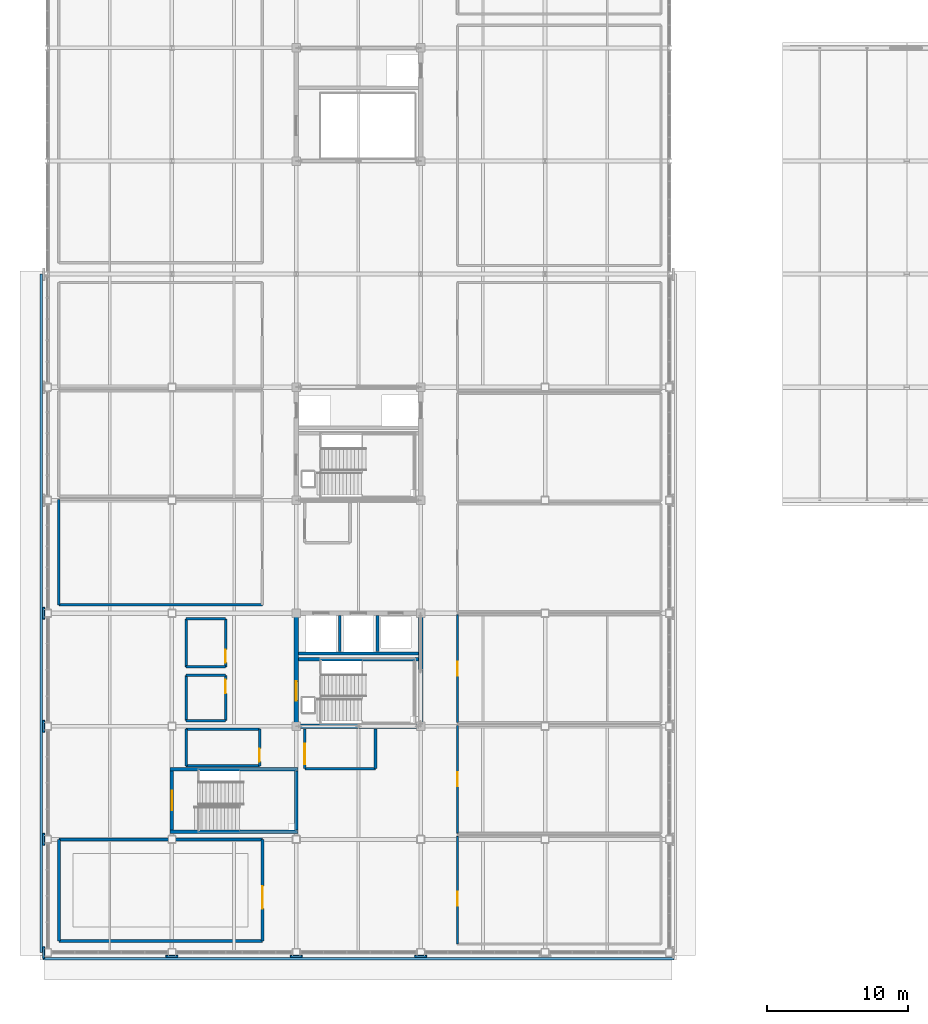
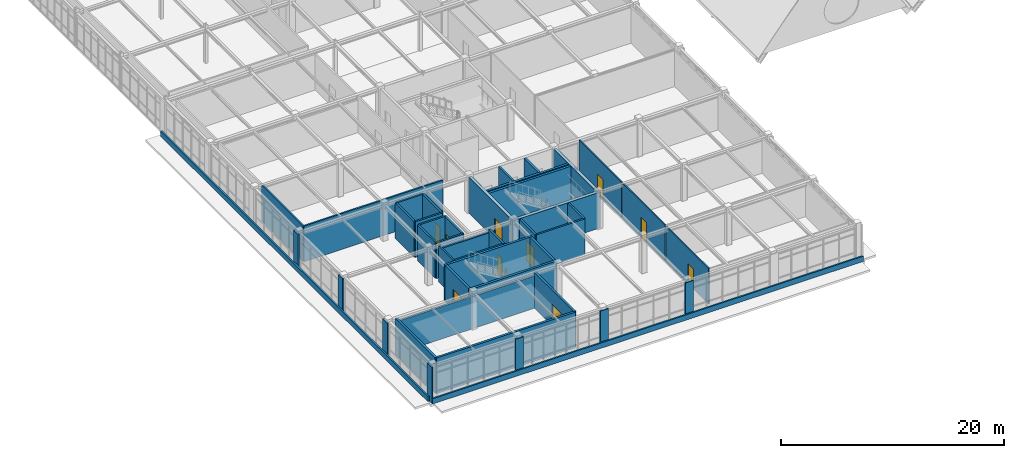
# One storey, part 53 of 64: 44 walls, 10 doors, 10 openings.
"""IFC4 building model written with IfcOpenShell, lengths in metres."""

from ifc_helpers import new_model, si_unit, direction, frame, frame_2d, origin, place, context, subcontext, project, spatial, rectangle, extrude, material, layer, layer_set, type_object, element, fill, save


model = new_model("IFC4")

# Units and contexts
model_context = context("Model", 3, precision=1e-05, world=origin(), true_north=direction((0.0, 1.0)))
body_context = subcontext(model_context, "Body", "Model", "MODEL_VIEW")
ifc_project = project(units=[si_unit("LENGTHUNIT", "METRE"), si_unit("AREAUNIT", "SQUARE_METRE"), si_unit("VOLUMEUNIT", "CUBIC_METRE"), si_unit("PLANEANGLEUNIT", "RADIAN"), si_unit("MASSUNIT", "GRAM", prefix="KILO")], contexts=[model_context])

# Site, building, storey
site_placement = place(None, origin())
site = spatial("IfcSite", under=ifc_project, at=site_placement, CompositionType="ELEMENT")
building_placement = place(site_placement, origin())
building = spatial("IfcBuilding", under=site, at=building_placement, Name="Zhaolan Boulevard Law Courts", CompositionType="ELEMENT")
storey_placement = place(building_placement, frame((0.0, 0.0, 20.39990234375)))
storey = spatial("IfcBuildingStorey", under=building, at=storey_placement, Name="L04", CompositionType="ELEMENT", Elevation=20.39990234375)

# Wall
ifc_material_1 = material(Name="Concrete C50", Category="concrete")
ifc_layer_1 = layer(ifc_material_1, 0.300048828125)
ifc_layer_set_1 = layer_set([ifc_layer_1])
wall_type_1 = type_object("IfcWallType", Name="CORE SHEAR WALL 300", PredefinedType="SHEAR", material=ifc_layer_set_1)
wall_1_placement = place(storey_placement, frame((17.449951171875, 46.0, 0.0), z_axis=(0.0, 0.0, 1.0), x_axis=(1.0, 0.0, 0.0)))
element("IfcWall", 1, at=wall_1_placement, inside=storey, type_object=wall_type_1, Name="Core Shear Wall CW-W1-L04S", PredefinedType="SHEAR", context=body_context, shape_type="SweptSolid", body=[
    extrude(rectangle(XDim=9.10009765625, YDim=0.300048828125, at=frame_2d((4.550048828125, 0.0))), origin(), (0.0, 0.0, 1.0), 3.920166015625),
])

# Wall, opening, door
wall_2_placement = place(storey_placement, frame((17.60009765625, 46.14990234375, 0.0), z_axis=(0.0, 0.0, 1.0), x_axis=(0.0, 1.0, 0.0)))
wall_2 = element("IfcWall", 2, at=wall_2_placement, inside=storey, type_object=wall_type_1, Name="Core Shear Wall CW-W1-L04W", PredefinedType="SHEAR", context=body_context, shape_type="SweptSolid", body=[
    extrude(rectangle(XDim=7.7001953125, YDim=0.300048828125, at=frame_2d((3.85009765625, 0.0))), origin(), (0.0, 0.0, 1.0), 3.920166015625),
])
opening_1_placement = place(wall_2_placement, frame((1.675048828125, 0.0, 0.0)))
opening_1 = element("IfcOpeningElement", 3, at=opening_1_placement, cuts=wall_2, Name="Opening SD-L04-06", PredefinedType="OPENING", context=body_context, shape_type="SweptSolid", body=[
    extrude(rectangle(XDim=1.35009765625, YDim=2.199951171875, at=frame_2d((0.675048828125, 1.10009765625))), frame((0.0, 0.159912109375, 0.0), z_axis=(0.0, -1.0, 0.0), x_axis=(1.0, 0.0, 0.0)), (0.0, 0.0, 1.0), 0.320068359375),
])
ifc_material_2 = material(Name="Fire-rated steel acoustic door", Category="steel")
door_type_1 = type_object("IfcDoorType", Name="STAIR FIRE 1350X2200 R", OperationType="SINGLE_SWING_RIGHT", PredefinedType="DOOR", material=ifc_material_2)
door_1_placement = place(opening_1_placement, origin())
door_1 = element("IfcDoor", 4, at=door_1_placement, inside=storey, type_object=door_type_1, Name="Smoke-Proof Stairwell Fire Door SD-L04-06", OperationType="SINGLE_SWING_RIGHT", OverallHeight=2.199951171875, OverallWidth=1.35009765625, PredefinedType="DOOR", context=body_context, shape_type="SweptSolid", body=[
    extrude(rectangle(XDim=1.35009765625, YDim=2.199951171875, at=frame_2d((0.675048828125, 1.10009765625))), frame((0.0, 0.02490234375, 0.0), z_axis=(0.0, -1.0, 0.0), x_axis=(1.0, 0.0, 0.0)), (0.0, 0.0, 1.0), 0.050048828125),
])
fill(opening_1, door_1)

# Walls
wall_3_placement = place(storey_placement, frame((26.39990234375, 46.14990234375, 0.0), z_axis=(0.0, 0.0, 1.0), x_axis=(0.0, 1.0, 0.0)))
element("IfcWall", 5, at=wall_3_placement, inside=storey, type_object=wall_type_1, Name="Core Shear Wall CW-W1-L04E", PredefinedType="SHEAR", context=body_context, shape_type="SweptSolid", body=[
    extrude(rectangle(XDim=7.7001953125, YDim=0.300048828125, at=frame_2d((3.85009765625, 0.0))), origin(), (0.0, 0.0, 1.0), 3.920166015625),
])
ifc_material_3 = material(Name="Concrete C40", Category="concrete")
ifc_layer_2 = layer(ifc_material_3, 0.139892578125)
ifc_layer_set_2 = layer_set([ifc_layer_2])
wall_type_2 = type_object("IfcWallType", Name="EXT WALL ARCH CLAD140", PredefinedType="SOLIDWALL", material=ifc_layer_set_2)
for number, where, z_axis, x_axis, name in (
    (6, (-0.280029296875, 29.580078125, 0.0), (0.0, 0.0, 1.0), (0.0, 1.0, 0.0), "Concrete Column Cloak Pier CPR-099"),
    (7, (-0.280029296875, 37.580078125, 0.0), (0.0, 0.0, 1.0), (0.0, 1.0, 0.0), "Concrete Column Cloak Pier CPR-101"),
    (8, (-0.280029296875, 45.580078125, 0.0), (0.0, 0.0, 1.0), (0.0, 1.0, 0.0), "Concrete Column Cloak Pier CPR-103"),
    (9, (-0.280029296875, 53.580078125, 0.0), (0.0, 0.0, 1.0), (0.0, 1.0, 0.0), "Concrete Column Cloak Pier CPR-105"),
):
    element("IfcWall", number, at=place(storey_placement, frame(where, z_axis=z_axis, x_axis=x_axis)), inside=storey, type_object=wall_type_2, Name=name, PredefinedType="SOLIDWALL", context=body_context, shape_type="SweptSolid", body=[
        extrude(rectangle(XDim=0.83984375, YDim=0.139892578125, at=frame_2d((0.419921875, 0.0))), origin(), (0.0, 0.0, 1.0), 3.940185546875),
    ])
for number, where, z_axis, x_axis, name in (
    (10, (8.3798828125, 29.719970703125, 0.0), (0.0, 0.0, 1.0), (1.0, 0.0, 0.0), "Concrete Column Cloak Pier CPR-113"),
    (11, (17.179931640625, 29.719970703125, 0.0), (0.0, 0.0, 1.0), (1.0, 0.0, 0.0), "Concrete Column Cloak Pier CPR-114"),
    (12, (25.97998046875, 29.719970703125, 0.0), (0.0, 0.0, 1.0), (1.0, 0.0, 0.0), "Concrete Column Cloak Pier CPR-115"),
):
    element("IfcWall", number, at=place(storey_placement, frame(where, z_axis=z_axis, x_axis=x_axis)), inside=storey, type_object=wall_type_2, Name=name, PredefinedType="SOLIDWALL", context=body_context, shape_type="SweptSolid", body=[
        extrude(rectangle(XDim=0.840087890625, YDim=0.139892578125, at=frame_2d((0.419921875, 0.0))), origin(), (0.0, 0.0, 1.0), 3.940185546875),
    ])
ifc_material_4 = material(Name="Concrete C40", Category="concrete")
ifc_layer_3 = layer(ifc_material_4, 0.159912109375)
ifc_layer_set_3 = layer_set([ifc_layer_3])
wall_type_3 = type_object("IfcWallType", Name="EXT WALL ARCH CLAD160", PredefinedType="SOLIDWALL", material=ifc_layer_set_3)
wall_4_placement = place(storey_placement, frame((-0.43994140625, 78.0, 0.0), z_axis=(0.0, 0.0, 1.0), x_axis=(0.0, -1.0, 0.0)))
element("IfcWall", 13, at=wall_4_placement, inside=storey, type_object=wall_type_3, Name="Sculpted Concrete Spandrel Band CBW-096", PredefinedType="SOLIDWALL", context=body_context, shape_type="SweptSolid", body=[
    extrude(rectangle(XDim=48.0, YDim=0.159912109375, at=frame_2d((24.0, 0.0))), origin(), (0.0, 0.0, 1.0), 0.580078125),
])
wall_5_placement = place(storey_placement, frame((-0.340087890625, 29.56005859375, 0.0), z_axis=(0.0, 0.0, 1.0), x_axis=(1.0, 0.0, 0.0)))
element("IfcWall", 14, at=wall_5_placement, inside=storey, type_object=wall_type_3, Name="Sculpted Concrete Spandrel Band CBW-098", PredefinedType="SOLIDWALL", context=body_context, shape_type="SweptSolid", body=[
    extrude(rectangle(XDim=44.68017578125, YDim=0.159912109375, at=frame_2d((22.340087890625, 0.0))), origin(), (0.0, 0.0, 1.0), 0.580078125),
])
ifc_material_5 = material(Name="Concrete C50", Category="concrete")
ifc_layer_4 = layer(ifc_material_5, 0.239990234375)
ifc_layer_set_4 = layer_set([ifc_layer_4])
wall_type_4 = type_object("IfcWallType", Name="LIFT SHAFT WALL 240", PredefinedType="SHEAR", material=ifc_layer_set_4)
wall_6_placement = place(storey_placement, frame((17.75, 51.155029296875, 0.0), z_axis=(0.0, 0.0, 1.0), x_axis=(1.0, 0.0, 0.0)))
element("IfcWall", 15, at=wall_6_placement, inside=storey, type_object=wall_type_4, Name="Lift Shaft Enclosure Wall W1 (L04)", PredefinedType="SHEAR", context=body_context, shape_type="SweptSolid", body=[
    extrude(rectangle(XDim=8.5, YDim=0.239990234375, at=frame_2d((4.25, 0.0))), origin(), (0.0, 0.0, 1.0), 3.920166015625),
])
ifc_material_6 = material(Name="Acoustic gypsum and mineral-wool stud")
ifc_layer_5 = layer(ifc_material_6, 0.18994140625)
ifc_layer_set_5 = layer_set([ifc_layer_5])
wall_type_5 = type_object("IfcWallType", Name="PART WALL ACOUST190", PredefinedType="PARTITIONING", material=ifc_layer_set_5)
wall_7_placement = place(storey_placement, frame((18.199951171875, 43.0, 0.0), z_axis=(0.0, 0.0, 1.0), x_axis=(1.0, 0.0, 0.0)))
element("IfcWall", 16, at=wall_7_placement, inside=storey, type_object=wall_type_5, Name="Interior Partition PW-L04-031", PredefinedType="PARTITIONING", context=body_context, shape_type="SweptSolid", body=[
    extrude(rectangle(XDim=5.0, YDim=0.18994140625, at=frame_2d((2.5, 0.0))), origin(), (0.0, 0.0, 1.0), 3.920166015625),
])

# Wall, opening, door
wall_8_placement = place(storey_placement, frame((18.199951171875, 45.800048828125, 0.0), z_axis=(0.0, 0.0, 1.0), x_axis=(0.0, -1.0, 0.0)))
wall_8 = element("IfcWall", 17, at=wall_8_placement, inside=storey, type_object=wall_type_5, Name="Interior Partition PW-L04-032", PredefinedType="PARTITIONING", context=body_context, shape_type="SweptSolid", body=[
    extrude(rectangle(XDim=2.800048828125, YDim=0.18994140625, at=frame_2d((1.39990234375, 0.0))), origin(), (0.0, 0.0, 1.0), 3.920166015625),
])
opening_2_placement = place(wall_8_placement, frame((1.050048828125, 0.0, 0.0)))
opening_2 = element("IfcOpeningElement", 18, at=opening_2_placement, cuts=wall_8, Name="Opening FD-L04-011", PredefinedType="OPENING", context=body_context, shape_type="SweptSolid", body=[
    extrude(rectangle(XDim=1.449951171875, YDim=2.199951171875, at=frame_2d((0.72509765625, 1.10009765625))), frame((0.0, 0.10498046875, 0.0), z_axis=(0.0, -1.0, 0.0), x_axis=(1.0, 0.0, 0.0)), (0.0, 0.0, 1.0), 0.2099609375),
])
ifc_material_7 = material(Name="Fire-rated steel acoustic door", Category="steel")
door_type_2 = type_object("IfcDoorType", Name="LOBBY FIRE 1450X2200 L", OperationType="SINGLE_SWING_LEFT", PredefinedType="DOOR", material=ifc_material_7)
door_2_placement = place(opening_2_placement, origin())
door_2 = element("IfcDoor", 19, at=door_2_placement, inside=storey, type_object=door_type_2, Name="Door FD-L04-011 (Lobby Firefighting Lift L04-W1)", OperationType="SINGLE_SWING_LEFT", OverallHeight=2.199951171875, OverallWidth=1.449951171875, PredefinedType="DOOR", context=body_context, shape_type="SweptSolid", body=[
    extrude(rectangle(XDim=1.449951171875, YDim=2.199951171875, at=frame_2d((0.72509765625, 1.10009765625))), frame((0.0, 0.02490234375, 0.0), z_axis=(0.0, -1.0, 0.0), x_axis=(1.0, 0.0, 0.0)), (0.0, 0.0, 1.0), 0.050048828125),
])
fill(opening_2, door_2)

# Walls
wall_9_placement = place(storey_placement, frame((23.199951171875, 43.0, 0.0), z_axis=(0.0, 0.0, 1.0), x_axis=(0.0, 1.0, 0.0)))
element("IfcWall", 20, at=wall_9_placement, inside=storey, type_object=wall_type_5, Name="Interior Partition PW-L04-033", PredefinedType="PARTITIONING", context=body_context, shape_type="SweptSolid", body=[
    extrude(rectangle(XDim=2.800048828125, YDim=0.18994140625, at=frame_2d((1.39990234375, 0.0))), origin(), (0.0, 0.0, 1.0), 3.920166015625),
])
ifc_material_8 = material(Name="Fire-rated gypsum stud partition")
ifc_layer_6 = layer(ifc_material_8, 0.159912109375)
ifc_layer_set_6 = layer_set([ifc_layer_6])
wall_type_6 = type_object("IfcWallType", Name="PART WALL CHAMB160", PredefinedType="PARTITIONING", material=ifc_layer_set_6)
wall_10_placement = place(storey_placement, frame((0.800048828125, 54.60009765625, 0.0), z_axis=(0.0, 0.0, 1.0), x_axis=(1.0, 0.0, 0.0)))
element("IfcWall", 21, at=wall_10_placement, inside=storey, type_object=wall_type_6, Name="Interior Partition PW-L04-594", PredefinedType="PARTITIONING", context=body_context, shape_type="SweptSolid", body=[
    extrude(rectangle(XDim=14.39990234375, YDim=0.159912109375, at=frame_2d((7.199951171875, 0.0))), origin(), (0.0, 0.0, 1.0), 3.920166015625),
])
wall_11_placement = place(storey_placement, frame((0.800048828125, 62.052978515625, 0.0), z_axis=(0.0, 0.0, 1.0), x_axis=(0.0, -1.0, 0.0)))
element("IfcWall", 22, at=wall_11_placement, inside=storey, type_object=wall_type_6, Name="Interior Partition PW-L04-596", PredefinedType="PARTITIONING", context=body_context, shape_type="SweptSolid", body=[
    extrude(rectangle(XDim=7.452880859375, YDim=0.159912109375, at=frame_2d((3.7265625, 0.0))), origin(), (0.0, 0.0, 1.0), 3.920166015625),
])
ifc_material_9 = material(Name="Concrete C40", Category="concrete")
ifc_layer_7 = layer(ifc_material_9, 0.219970703125)
ifc_layer_set_7 = layer_set([ifc_layer_7])
wall_type_7 = type_object("IfcWallType", Name="PART WALL COURT220", PredefinedType="PARTITIONING", material=ifc_layer_set_7)
wall_12_placement = place(storey_placement, frame((0.800048828125, 30.800048828125, 0.0), z_axis=(0.0, 0.0, 1.0), x_axis=(1.0, 0.0, 0.0)))
element("IfcWall", 23, at=wall_12_placement, inside=storey, type_object=wall_type_7, Name="Interior Partition PW-L04-590", PredefinedType="PARTITIONING", context=body_context, shape_type="SweptSolid", body=[
    extrude(rectangle(XDim=14.39990234375, YDim=0.219970703125, at=frame_2d((7.199951171875, 0.0))), origin(), (0.0, 0.0, 1.0), 3.920166015625),
])
wall_13_placement = place(storey_placement, frame((15.199951171875, 38.0, 0.0), z_axis=(0.0, 0.0, 1.0), x_axis=(-1.0, 0.0, 0.0)))
element("IfcWall", 24, at=wall_13_placement, inside=storey, type_object=wall_type_7, Name="Interior Partition PW-L04-591", PredefinedType="PARTITIONING", context=body_context, shape_type="SweptSolid", body=[
    extrude(rectangle(XDim=14.39990234375, YDim=0.219970703125, at=frame_2d((7.199951171875, 0.0))), origin(), (0.0, 0.0, 1.0), 3.546142578125),
])
wall_14_placement = place(storey_placement, frame((0.800048828125, 38.0, 0.0), z_axis=(0.0, 0.0, 1.0), x_axis=(0.0, -1.0, 0.0)))
element("IfcWall", 25, at=wall_14_placement, inside=storey, type_object=wall_type_7, Name="Interior Partition PW-L04-592", PredefinedType="PARTITIONING", context=body_context, shape_type="SweptSolid", body=[
    extrude(rectangle(XDim=7.199951171875, YDim=0.219970703125, at=frame_2d((3.60009765625, 0.0))), origin(), (0.0, 0.0, 1.0), 3.920166015625),
])

# Wall, opening, door
wall_15_placement = place(storey_placement, frame((15.199951171875, 30.800048828125, 0.0), z_axis=(0.0, 0.0, 1.0), x_axis=(0.0, 1.0, 0.0)))
wall_15 = element("IfcWall", 26, at=wall_15_placement, inside=storey, type_object=wall_type_7, Name="Interior Partition PW-L04-593", PredefinedType="PARTITIONING", context=body_context, shape_type="SweptSolid", body=[
    extrude(rectangle(XDim=7.199951171875, YDim=0.219970703125, at=frame_2d((3.60009765625, 0.0))), origin(), (0.0, 0.0, 1.0), 3.920166015625),
])
opening_3_placement = place(wall_15_placement, frame((2.300048828125, 0.0, 0.0)))
opening_3 = element("IfcOpeningElement", 27, at=opening_3_placement, cuts=wall_15, Name="Opening ID-L04-184", PredefinedType="OPENING", context=body_context, shape_type="SweptSolid", body=[
    extrude(rectangle(XDim=1.60009765625, YDim=2.35009765625, at=frame_2d((0.800048828125, 1.175048828125))), frame((0.0, 0.119873046875, 0.0), z_axis=(0.0, -1.0, 0.0), x_axis=(1.0, 0.0, 0.0)), (0.0, 0.0, 1.0), 0.239990234375),
])
ifc_material_10 = material(Name="Solid-core acoustic oak veneer door")
door_type_3 = type_object("IfcDoorType", Name="COURT DOUBLE 1600X2350", OperationType="DOUBLE_DOOR_SINGLE_SWING", PredefinedType="DOOR", material=ifc_material_10)
door_3_placement = place(opening_3_placement, origin())
door_3 = element("IfcDoor", 28, at=door_3_placement, inside=storey, type_object=door_type_3, Name="Door ID-L04-184 (Appellate Civil Courtroom 18)", OperationType="DOUBLE_DOOR_SINGLE_SWING", OverallHeight=2.35009765625, OverallWidth=1.60009765625, PredefinedType="DOOR", context=body_context, shape_type="SweptSolid", body=[
    extrude(rectangle(XDim=1.60009765625, YDim=2.35009765625, at=frame_2d((0.800048828125, 1.175048828125))), frame((0.0, 0.02490234375, 0.0), z_axis=(0.0, -1.0, 0.0), x_axis=(1.0, 0.0, 0.0)), (0.0, 0.0, 1.0), 0.050048828125),
])
fill(opening_3, door_3)

# Walls
ifc_material_11 = material(Name="Concrete C40", Category="concrete")
ifc_layer_8 = layer(ifc_material_11, 0.2099609375)
ifc_layer_set_8 = layer_set([ifc_layer_8])
wall_type_8 = type_object("IfcWallType", Name="PART WALL CUSTODY210", PredefinedType="PARTITIONING", material=ifc_layer_set_8)
for number, where, z_axis, x_axis, name in (
    (29, (20.675048828125, 51.277099609375, 0.0), (0.0, 0.0, 1.0), (0.0, 1.0, 0.0), "Lift Shaft Divider Wall W1-1 (L04)"),
    (30, (23.337890625, 51.277099609375, 0.0), (0.0, 0.0, 1.0), (0.0, 1.0, 0.0), "Lift Shaft Divider Wall W1-2 (L04)"),
):
    element("IfcWall", number, at=place(storey_placement, frame(where, z_axis=z_axis, x_axis=x_axis)), inside=storey, type_object=wall_type_8, Name=name, PredefinedType="PARTITIONING", context=body_context, shape_type="SweptSolid", body=[
        extrude(rectangle(XDim=2.57080078125, YDim=0.2099609375, at=frame_2d((1.285400390625, 0.0))), origin(), (0.0, 0.0, 1.0), 3.920166015625),
    ])

# Wall, opening, door
ifc_material_12 = material(Name="Gypsum board stud partition")
ifc_layer_9 = layer(ifc_material_12, 0.1201171875)
ifc_layer_set_9 = layer_set([ifc_layer_9])
wall_type_9 = type_object("IfcWallType", Name="PART WALL LIGHT120", PredefinedType="PARTITIONING", material=ifc_layer_set_9)
wall_16_placement = place(storey_placement, frame((29.0, 38.217041015625, 0.0), z_axis=(0.0, 0.0, 1.0), x_axis=(0.0, -1.0, 0.0)))
wall_16 = element("IfcWall", 31, at=wall_16_placement, inside=storey, type_object=wall_type_9, Name="Interior Partition PW-L04-608", PredefinedType="PARTITIONING", context=body_context, shape_type="SweptSolid", body=[
    extrude(rectangle(XDim=7.616943359375, YDim=0.1201171875, at=frame_2d((3.80859375, 0.0))), origin(), (0.0, 0.0, 1.0), 3.920166015625),
])
opening_4_placement = place(wall_16_placement, frame((3.909912109375, 0.0, 0.0)))
opening_4 = element("IfcOpeningElement", 32, at=opening_4_placement, cuts=wall_16, Name="Opening JD-L04-188", PredefinedType="OPENING", context=body_context, shape_type="SweptSolid", body=[
    extrude(rectangle(XDim=1.0, YDim=2.199951171875, at=frame_2d((0.5, 1.10009765625))), frame((0.0, 0.070068359375, 0.0), z_axis=(0.0, -1.0, 0.0), x_axis=(1.0, 0.0, 0.0)), (0.0, 0.0, 1.0), 0.14013671875),
])
ifc_material_13 = material(Name="Solid-core acoustic oak veneer door")
door_type_4 = type_object("IfcDoorType", Name="CHAMBER DOOR 1000X2200 L", OperationType="SINGLE_SWING_LEFT", PredefinedType="DOOR", material=ifc_material_13)
door_4_placement = place(opening_4_placement, origin())
door_4 = element("IfcDoor", 33, at=door_4_placement, inside=storey, type_object=door_type_4, Name="Door JD-L04-188 (Judges' Chambers L04-01)", OperationType="SINGLE_SWING_LEFT", OverallHeight=2.199951171875, OverallWidth=1.0, PredefinedType="DOOR", context=body_context, shape_type="SweptSolid", body=[
    extrude(rectangle(XDim=1.0, YDim=2.199951171875, at=frame_2d((0.5, 1.10009765625))), frame((0.0, 0.02490234375, 0.0), z_axis=(0.0, -1.0, 0.0), x_axis=(1.0, 0.0, 0.0)), (0.0, 0.0, 1.0), 0.050048828125),
])
fill(opening_4, door_4)

wall_17_placement = place(storey_placement, frame((29.0, 46.052978515625, 0.0), z_axis=(0.0, 0.0, 1.0), x_axis=(0.0, -1.0, 0.0)))
wall_17 = element("IfcWall", 34, at=wall_17_placement, inside=storey, type_object=wall_type_9, Name="Interior Partition PW-L04-612", PredefinedType="PARTITIONING", context=body_context, shape_type="SweptSolid", body=[
    extrude(rectangle(XDim=7.615966796875, YDim=0.1201171875, at=frame_2d((3.80810546875, 0.0))), origin(), (0.0, 0.0, 1.0), 3.920166015625),
])
opening_5_placement = place(wall_17_placement, frame((3.318115234375, 0.0, 0.0)))
opening_5 = element("IfcOpeningElement", 35, at=opening_5_placement, cuts=wall_17, Name="Opening JD-L04-189", PredefinedType="OPENING", context=body_context, shape_type="SweptSolid", body=[
    extrude(rectangle(XDim=0.97998046875, YDim=2.199951171875, at=frame_2d((0.489990234375, 1.10009765625))), frame((0.0, 0.070068359375, 0.0), z_axis=(0.0, -1.0, 0.0), x_axis=(1.0, 0.0, 0.0)), (0.0, 0.0, 1.0), 0.14013671875),
])
ifc_material_14 = material(Name="Solid-core acoustic oak veneer door")
door_type_5 = type_object("IfcDoorType", Name="CHAMBER DOOR 980X2200 R", OperationType="SINGLE_SWING_RIGHT", PredefinedType="DOOR", material=ifc_material_14)
door_5_placement = place(opening_5_placement, origin())
door_5 = element("IfcDoor", 36, at=door_5_placement, inside=storey, type_object=door_type_5, Name="Door JD-L04-189 (Judges' Chambers L04-02)", OperationType="SINGLE_SWING_RIGHT", OverallHeight=2.199951171875, OverallWidth=0.97998046875, PredefinedType="DOOR", context=body_context, shape_type="SweptSolid", body=[
    extrude(rectangle(XDim=0.97998046875, YDim=2.199951171875, at=frame_2d((0.489990234375, 1.10009765625))), frame((0.0, 0.02490234375, 0.0), z_axis=(0.0, -1.0, 0.0), x_axis=(1.0, 0.0, 0.0)), (0.0, 0.0, 1.0), 0.050048828125),
])
fill(opening_5, door_5)

wall_18_placement = place(storey_placement, frame((29.0, 53.889892578125, 0.0), z_axis=(0.0, 0.0, 1.0), x_axis=(0.0, -1.0, 0.0)))
wall_18 = element("IfcWall", 37, at=wall_18_placement, inside=storey, type_object=wall_type_9, Name="Interior Partition PW-L04-616", PredefinedType="PARTITIONING", context=body_context, shape_type="SweptSolid", body=[
    extrude(rectangle(XDim=7.616943359375, YDim=0.1201171875, at=frame_2d((3.80859375, 0.0))), origin(), (0.0, 0.0, 1.0), 3.920166015625),
])
opening_6_placement = place(wall_18_placement, frame((3.30810546875, 0.0, 0.0)))
opening_6 = element("IfcOpeningElement", 38, at=opening_6_placement, cuts=wall_18, Name="Opening JD-L04-190", PredefinedType="OPENING", context=body_context, shape_type="SweptSolid", body=[
    extrude(rectangle(XDim=1.0, YDim=2.14990234375, at=frame_2d((0.5, 1.074951171875))), frame((0.0, 0.070068359375, 0.0), z_axis=(0.0, -1.0, 0.0), x_axis=(1.0, 0.0, 0.0)), (0.0, 0.0, 1.0), 0.14013671875),
])
ifc_material_15 = material(Name="Solid-core acoustic oak veneer door")
door_type_6 = type_object("IfcDoorType", Name="CHAMBER DOOR 1000X2150 L", OperationType="SINGLE_SWING_LEFT", PredefinedType="DOOR", material=ifc_material_15)
door_6_placement = place(opening_6_placement, origin())
door_6 = element("IfcDoor", 39, at=door_6_placement, inside=storey, type_object=door_type_6, Name="Door JD-L04-190 (Judges' Chambers L04-03)", OperationType="SINGLE_SWING_LEFT", OverallHeight=2.14990234375, OverallWidth=1.0, PredefinedType="DOOR", context=body_context, shape_type="SweptSolid", body=[
    extrude(rectangle(XDim=1.0, YDim=2.14990234375, at=frame_2d((0.5, 1.074951171875))), frame((0.0, 0.02490234375, 0.0), z_axis=(0.0, -1.0, 0.0), x_axis=(1.0, 0.0, 0.0)), (0.0, 0.0, 1.0), 0.050048828125),
])
fill(opening_6, door_6)

# Walls
ifc_material_16 = material(Name="Moisture-resistant masonry chase wall", Category="masonry")
ifc_layer_10 = layer(ifc_material_16, 0.179931640625)
ifc_layer_set_10 = layer_set([ifc_layer_10])
wall_type_10 = type_object("IfcWallType", Name="PLUMB WALL 180", PredefinedType="PLUMBINGWALL", material=ifc_layer_set_10)
for number, where, z_axis, x_axis, name in (
    (40, (9.800048828125, 46.39990234375, 0.0), (0.0, 0.0, 1.0), (1.0, 0.0, 0.0), "Interior Partition PW-L04-139"),
    (41, (12.60009765625, 49.60009765625, 0.0), (0.0, 0.0, 1.0), (-1.0, 0.0, 0.0), "Interior Partition PW-L04-140"),
):
    element("IfcWall", number, at=place(storey_placement, frame(where, z_axis=z_axis, x_axis=x_axis)), inside=storey, type_object=wall_type_10, Name=name, PredefinedType="PLUMBINGWALL", context=body_context, shape_type="SweptSolid", body=[
        extrude(rectangle(XDim=2.800048828125, YDim=0.179931640625, at=frame_2d((1.39990234375, 0.0))), origin(), (0.0, 0.0, 1.0), 3.920166015625),
    ])
wall_19_placement = place(storey_placement, frame((9.800048828125, 49.60009765625, 0.0), z_axis=(0.0, 0.0, 1.0), x_axis=(0.0, -1.0, 0.0)))
element("IfcWall", 42, at=wall_19_placement, inside=storey, type_object=wall_type_10, Name="Interior Partition PW-L04-141", PredefinedType="PLUMBINGWALL", context=body_context, shape_type="SweptSolid", body=[
    extrude(rectangle(XDim=3.2001953125, YDim=0.179931640625, at=frame_2d((1.60009765625, 0.0))), origin(), (0.0, 0.0, 1.0), 3.920166015625),
])

# Wall, opening, door
wall_20_placement = place(storey_placement, frame((12.60009765625, 46.39990234375, 0.0), z_axis=(0.0, 0.0, 1.0), x_axis=(0.0, 1.0, 0.0)))
wall_20 = element("IfcWall", 43, at=wall_20_placement, inside=storey, type_object=wall_type_10, Name="Interior Partition PW-L04-142", PredefinedType="PLUMBINGWALL", context=body_context, shape_type="SweptSolid", body=[
    extrude(rectangle(XDim=3.2001953125, YDim=0.179931640625, at=frame_2d((1.60009765625, 0.0))), origin(), (0.0, 0.0, 1.0), 3.920166015625),
])
opening_7_placement = place(wall_20_placement, frame((1.93994140625, 0.0, 0.0)))
opening_7 = element("IfcOpeningElement", 44, at=opening_7_placement, cuts=wall_20, Name="Opening WD-L04-043", PredefinedType="OPENING", context=body_context, shape_type="SweptSolid", body=[
    extrude(rectangle(XDim=0.9599609375, YDim=2.10009765625, at=frame_2d((0.47998046875, 1.050048828125))), frame((0.0, 0.099853515625, 0.0), z_axis=(0.0, -1.0, 0.0), x_axis=(1.0, 0.0, 0.0)), (0.0, 0.0, 1.0), 0.199951171875),
])
ifc_material_17 = material(Name="Solid-core acoustic oak veneer door")
door_type_7 = type_object("IfcDoorType", Name="WCDOOR ACC 960X2100 L", OperationType="SINGLE_SWING_LEFT", PredefinedType="DOOR", material=ifc_material_17)
door_7_placement = place(opening_7_placement, origin())
door_7 = element("IfcDoor", 45, at=door_7_placement, inside=storey, type_object=door_type_7, Name="Door WD-L04-043 (Accessible WC L04)", OperationType="SINGLE_SWING_LEFT", OverallHeight=2.10009765625, OverallWidth=0.9599609375, PredefinedType="DOOR", context=body_context, shape_type="SweptSolid", body=[
    extrude(rectangle(XDim=0.9599609375, YDim=2.10009765625, at=frame_2d((0.47998046875, 1.050048828125))), frame((0.0, 0.02490234375, 0.0), z_axis=(0.0, -1.0, 0.0), x_axis=(1.0, 0.0, 0.0)), (0.0, 0.0, 1.0), 0.050048828125),
])
fill(opening_7, door_7)

# Walls
for number, where, z_axis, x_axis, name in (
    (46, (9.800048828125, 50.199951171875, 0.0), (0.0, 0.0, 1.0), (1.0, 0.0, 0.0), "Interior Partition PW-L04-143"),
    (47, (12.60009765625, 53.60009765625, 0.0), (0.0, 0.0, 1.0), (-1.0, 0.0, 0.0), "Interior Partition PW-L04-144"),
):
    element("IfcWall", number, at=place(storey_placement, frame(where, z_axis=z_axis, x_axis=x_axis)), inside=storey, type_object=wall_type_10, Name=name, PredefinedType="PLUMBINGWALL", context=body_context, shape_type="SweptSolid", body=[
        extrude(rectangle(XDim=2.800048828125, YDim=0.179931640625, at=frame_2d((1.39990234375, 0.0))), origin(), (0.0, 0.0, 1.0), 3.920166015625),
    ])
wall_21_placement = place(storey_placement, frame((9.800048828125, 53.60009765625, 0.0), z_axis=(0.0, 0.0, 1.0), x_axis=(0.0, -1.0, 0.0)))
element("IfcWall", 48, at=wall_21_placement, inside=storey, type_object=wall_type_10, Name="Interior Partition PW-L04-145", PredefinedType="PLUMBINGWALL", context=body_context, shape_type="SweptSolid", body=[
    extrude(rectangle(XDim=3.400146484375, YDim=0.179931640625, at=frame_2d((1.7001953125, 0.0))), origin(), (0.0, 0.0, 1.0), 3.920166015625),
])

# Wall, opening, door
wall_22_placement = place(storey_placement, frame((12.60009765625, 50.199951171875, 0.0), z_axis=(0.0, 0.0, 1.0), x_axis=(0.0, 1.0, 0.0)))
wall_22 = element("IfcWall", 49, at=wall_22_placement, inside=storey, type_object=wall_type_10, Name="Interior Partition PW-L04-146", PredefinedType="PLUMBINGWALL", context=body_context, shape_type="SweptSolid", body=[
    extrude(rectangle(XDim=3.400146484375, YDim=0.179931640625, at=frame_2d((1.7001953125, 0.0))), origin(), (0.0, 0.0, 1.0), 3.920166015625),
])
opening_8_placement = place(wall_22_placement, frame((0.300048828125, 0.0, 0.0)))
opening_8 = element("IfcOpeningElement", 50, at=opening_8_placement, cuts=wall_22, Name="Opening WD-L04-044", PredefinedType="OPENING", context=body_context, shape_type="SweptSolid", body=[
    extrude(rectangle(XDim=0.919921875, YDim=2.10009765625, at=frame_2d((0.4599609375, 1.050048828125))), frame((0.0, 0.099853515625, 0.0), z_axis=(0.0, -1.0, 0.0), x_axis=(1.0, 0.0, 0.0)), (0.0, 0.0, 1.0), 0.199951171875),
])
ifc_material_18 = material(Name="Solid-core acoustic oak veneer door")
door_type_8 = type_object("IfcDoorType", Name="WCDOOR PUB 920X2100 R", OperationType="SINGLE_SWING_RIGHT", PredefinedType="DOOR", material=ifc_material_18)
door_8_placement = place(opening_8_placement, origin())
door_8 = element("IfcDoor", 51, at=door_8_placement, inside=storey, type_object=door_type_8, Name="Door WD-L04-044 (WC Public Male L04)", OperationType="SINGLE_SWING_RIGHT", OverallHeight=2.10009765625, OverallWidth=0.919921875, PredefinedType="DOOR", context=body_context, shape_type="SweptSolid", body=[
    extrude(rectangle(XDim=0.919921875, YDim=2.10009765625, at=frame_2d((0.4599609375, 1.050048828125))), frame((0.0, 0.02490234375, 0.0), z_axis=(0.0, -1.0, 0.0), x_axis=(1.0, 0.0, 0.0)), (0.0, 0.0, 1.0), 0.050048828125),
])
fill(opening_8, door_8)

# Walls
wall_23_placement = place(storey_placement, frame((9.800048828125, 43.199951171875, 0.0), z_axis=(0.0, 0.0, 1.0), x_axis=(1.0, 0.0, 0.0)))
element("IfcWall", 52, at=wall_23_placement, inside=storey, type_object=wall_type_10, Name="Interior Partition PW-L04-147", PredefinedType="PLUMBINGWALL", context=body_context, shape_type="SweptSolid", body=[
    extrude(rectangle(XDim=5.199951171875, YDim=0.179931640625, at=frame_2d((2.60009765625, 0.0))), origin(), (0.0, 0.0, 1.0), 3.920166015625),
])
wall_24_placement = place(storey_placement, frame((15.0, 45.800048828125, 0.0), z_axis=(0.0, 0.0, 1.0), x_axis=(-1.0, 0.0, 0.0)))
element("IfcWall", 53, at=wall_24_placement, inside=storey, type_object=wall_type_10, Name="Interior Partition PW-L04-148", PredefinedType="PLUMBINGWALL", context=body_context, shape_type="SweptSolid", body=[
    extrude(rectangle(XDim=5.199951171875, YDim=0.179931640625, at=frame_2d((2.60009765625, 0.0))), origin(), (0.0, 0.0, 1.0), 3.59619140625),
])
wall_25_placement = place(storey_placement, frame((9.800048828125, 45.800048828125, 0.0), z_axis=(0.0, 0.0, 1.0), x_axis=(0.0, -1.0, 0.0)))
element("IfcWall", 54, at=wall_25_placement, inside=storey, type_object=wall_type_10, Name="Interior Partition PW-L04-149", PredefinedType="PLUMBINGWALL", context=body_context, shape_type="SweptSolid", body=[
    extrude(rectangle(XDim=2.60009765625, YDim=0.179931640625, at=frame_2d((1.300048828125, 0.0))), origin(), (0.0, 0.0, 1.0), 3.920166015625),
])

# Wall, opening, door
wall_26_placement = place(storey_placement, frame((15.0, 43.199951171875, 0.0), z_axis=(0.0, 0.0, 1.0), x_axis=(0.0, 1.0, 0.0)))
wall_26 = element("IfcWall", 55, at=wall_26_placement, inside=storey, type_object=wall_type_10, Name="Interior Partition PW-L04-150", PredefinedType="PLUMBINGWALL", context=body_context, shape_type="SweptSolid", body=[
    extrude(rectangle(XDim=2.60009765625, YDim=0.179931640625, at=frame_2d((1.300048828125, 0.0))), origin(), (0.0, 0.0, 1.0), 3.920166015625),
])
opening_9_placement = place(wall_26_placement, frame((0.300048828125, 0.0, 0.0)))
opening_9 = element("IfcOpeningElement", 56, at=opening_9_placement, cuts=wall_26, Name="Opening WD-L04-045", PredefinedType="OPENING", context=body_context, shape_type="SweptSolid", body=[
    extrude(rectangle(XDim=0.919921875, YDim=2.10009765625, at=frame_2d((0.4599609375, 1.050048828125))), frame((0.0, 0.099853515625, 0.0), z_axis=(0.0, -1.0, 0.0), x_axis=(1.0, 0.0, 0.0)), (0.0, 0.0, 1.0), 0.199951171875),
])
door_9_placement = place(opening_9_placement, origin())
door_9 = element("IfcDoor", 57, at=door_9_placement, inside=storey, type_object=door_type_8, Name="Door WD-L04-045 (WC Public Female L04)", OperationType="SINGLE_SWING_RIGHT", OverallHeight=2.10009765625, OverallWidth=0.919921875, PredefinedType="DOOR", context=body_context, shape_type="SweptSolid", body=[
    extrude(rectangle(XDim=0.919921875, YDim=2.10009765625, at=frame_2d((0.4599609375, 1.050048828125))), frame((0.0, 0.02490234375, 0.0), z_axis=(0.0, -1.0, 0.0), x_axis=(1.0, 0.0, 0.0)), (0.0, 0.0, 1.0), 0.050048828125),
])
fill(opening_9, door_9)

# Walls
ifc_material_19 = material(Name="Concrete C50", Category="concrete")
ifc_layer_11 = layer(ifc_material_19, 0.239990234375)
ifc_layer_set_11 = layer_set([ifc_layer_11])
wall_type_11 = type_object("IfcWallType", Name="STAIR WELL WALL 240", PredefinedType="SHEAR", material=ifc_layer_set_11)
wall_27_placement = place(storey_placement, frame((17.75, 50.75, 0.0), z_axis=(0.0, 0.0, 1.0), x_axis=(1.0, 0.0, 0.0)))
element("IfcWall", 58, at=wall_27_placement, inside=storey, type_object=wall_type_11, Name="Stairwell Divider Shear Wall ST01-L04N", PredefinedType="SHEAR", context=body_context, shape_type="SweptSolid", body=[
    extrude(rectangle(XDim=8.5, YDim=0.239990234375, at=frame_2d((4.25, 0.0))), origin(), (0.0, 0.0, 1.0), 3.9501953125),
])
for number, where, z_axis, x_axis, name in (
    (59, (8.679931640625, 38.550048828125, 0.0), (0.0, 0.0, 1.0), (1.0, 0.0, 0.0), "Stairwell Shear Wall ST03-L04S"),
    (60, (17.719970703125, 42.949951171875, 0.0), (0.0, 0.0, 1.0), (-1.0, 0.0, 0.0), "Stairwell Shear Wall ST03-L04N"),
):
    element("IfcWall", number, at=place(storey_placement, frame(where, z_axis=z_axis, x_axis=x_axis)), inside=storey, type_object=wall_type_11, Name=name, PredefinedType="SHEAR", context=body_context, shape_type="SweptSolid", body=[
        extrude(rectangle(XDim=9.0400390625, YDim=0.239990234375, at=frame_2d((4.52001953125, 0.0))), origin(), (0.0, 0.0, 1.0), 3.9501953125),
    ])

# Wall, opening, door
wall_28_placement = place(storey_placement, frame((8.800048828125, 38.669921875, 0.0), z_axis=(0.0, 0.0, 1.0), x_axis=(0.0, 1.0, 0.0)))
wall_28 = element("IfcWall", 61, at=wall_28_placement, inside=storey, type_object=wall_type_11, Name="Stairwell Shear Wall ST03-L04W", PredefinedType="SHEAR", context=body_context, shape_type="SweptSolid", body=[
    extrude(rectangle(XDim=4.16015625, YDim=0.239990234375, at=frame_2d((2.080078125, 0.0))), origin(), (0.0, 0.0, 1.0), 3.9501953125),
])
opening_10_placement = place(wall_28_placement, frame((1.3798828125, 0.0, 0.0)))
opening_10 = element("IfcOpeningElement", 62, at=opening_10_placement, cuts=wall_28, Name="Opening SD-L04-51", PredefinedType="OPENING", context=body_context, shape_type="SweptSolid", body=[
    extrude(rectangle(XDim=1.39990234375, YDim=2.199951171875, at=frame_2d((0.699951171875, 1.10009765625))), frame((0.0, 0.1298828125, 0.0), z_axis=(0.0, -1.0, 0.0), x_axis=(1.0, 0.0, 0.0)), (0.0, 0.0, 1.0), 0.260009765625),
])
ifc_material_20 = material(Name="Fire-rated steel acoustic door", Category="steel")
door_type_9 = type_object("IfcDoorType", Name="STAIR FIRE 1400X2200 L", OperationType="SINGLE_SWING_LEFT", PredefinedType="DOOR", material=ifc_material_20)
door_10_placement = place(opening_10_placement, origin())
door_10 = element("IfcDoor", 63, at=door_10_placement, inside=storey, type_object=door_type_9, Name="Smoke-Proof Stairwell Fire Door SD-L04-51", OperationType="SINGLE_SWING_LEFT", OverallHeight=2.199951171875, OverallWidth=1.39990234375, PredefinedType="DOOR", context=body_context, shape_type="SweptSolid", body=[
    extrude(rectangle(XDim=1.39990234375, YDim=2.199951171875, at=frame_2d((0.699951171875, 1.10009765625))), frame((0.0, 0.02490234375, 0.0), z_axis=(0.0, -1.0, 0.0), x_axis=(1.0, 0.0, 0.0)), (0.0, 0.0, 1.0), 0.050048828125),
])
fill(opening_10, door_10)

# Wall
wall_29_placement = place(storey_placement, frame((17.60009765625, 38.669921875, 0.0), z_axis=(0.0, 0.0, 1.0), x_axis=(0.0, 1.0, 0.0)))
element("IfcWall", 64, at=wall_29_placement, inside=storey, type_object=wall_type_11, Name="Stairwell Shear Wall ST03-L04E", PredefinedType="SHEAR", context=body_context, shape_type="SweptSolid", body=[
    extrude(rectangle(XDim=4.16015625, YDim=0.239990234375, at=frame_2d((2.080078125, 0.0))), origin(), (0.0, 0.0, 1.0), 3.9501953125),
])

save(model, "model.ifc")
